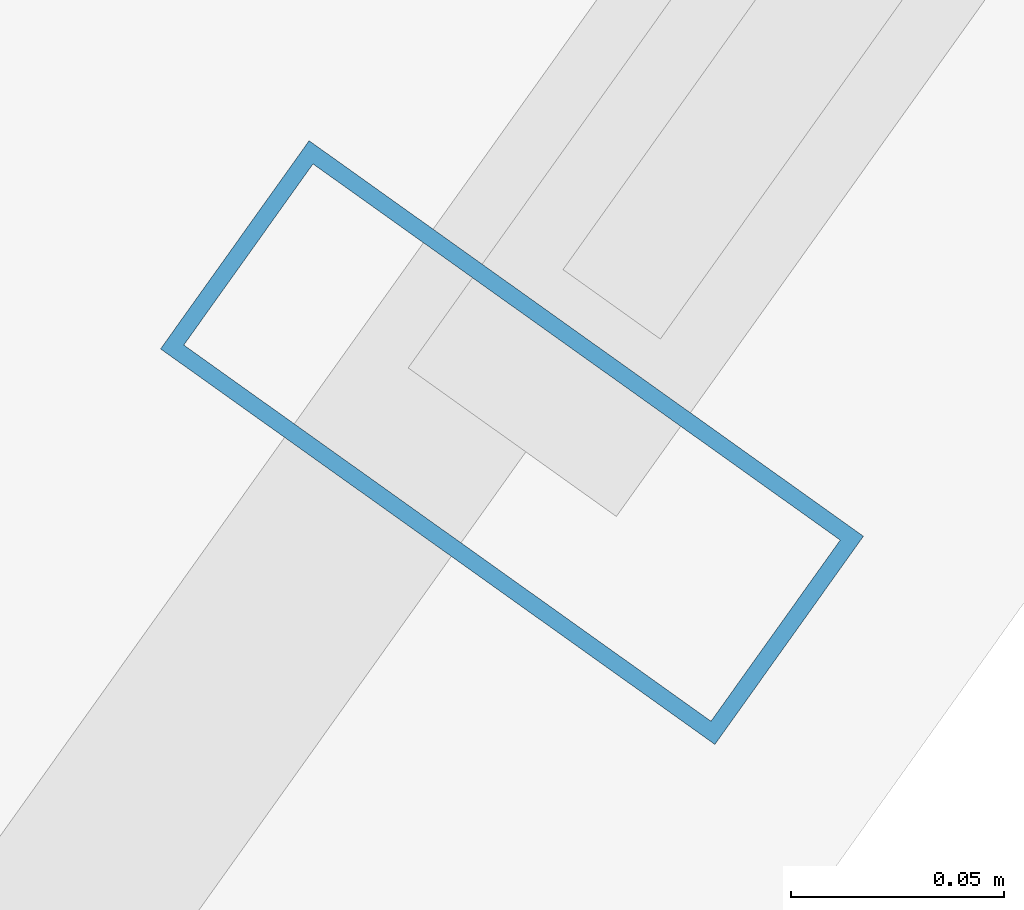
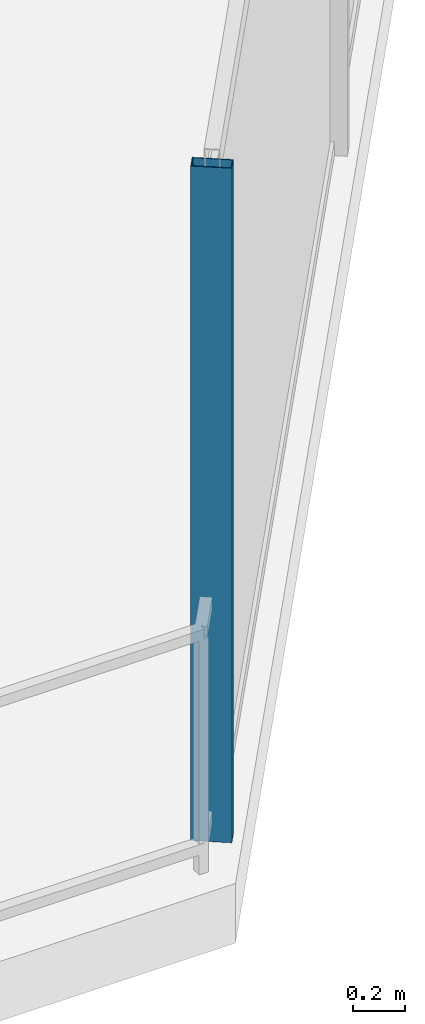
# One storey, part 5 of 30: 1 member, 1 element without a shape of its own.
"""IFC4 building model written with IfcOpenShell, lengths in metres."""

from ifc_helpers import new_model, si_unit, direction, frame, origin, origin_2d, place, context, subcontext, project, spatial, hollow_rectangle, extrude, material, layer, layer_set, material_profile, profile_set, type_object, element, aggregate, save


model = new_model("IFC4")

# Units and contexts
model_context = context("Model", 3, precision=1e-05, world=origin(), true_north=direction((0.0, 1.0)))
body_context = subcontext(model_context, "Body", "Model", "MODEL_VIEW")
ifc_project = project(units=[si_unit("LENGTHUNIT", "METRE"), si_unit("AREAUNIT", "SQUARE_METRE"), si_unit("VOLUMEUNIT", "CUBIC_METRE"), si_unit("PLANEANGLEUNIT", "RADIAN"), si_unit("MASSUNIT", "GRAM", prefix="KILO")], contexts=[model_context])

# Site, building, storey
site_placement = place(None, origin())
site = spatial("IfcSite", under=ifc_project, at=site_placement, CompositionType="ELEMENT")
building_placement = place(site_placement, origin())
building = spatial("IfcBuilding", under=site, at=building_placement, Name="Qarnah Convention Tower", CompositionType="ELEMENT")
storey_placement = place(building_placement, frame((0.0, 0.0, 47.699951171875)))
storey = spatial("IfcBuildingStorey", under=building, at=storey_placement, Name="L11", CompositionType="ELEMENT", Elevation=47.699951171875)

# Curtain wall, member
ifc_material_1 = material(Name="Tempered Low-E dark glass", Category="glass")
ifc_layer = layer(ifc_material_1, 0.16796875)
ifc_layer_set = layer_set([ifc_layer], Name="Tempered Low-E dark glass")
curtain_wall_type = type_object("IfcCurtainWallType", Name="CWS-01", PredefinedType="NOTDEFINED", material=ifc_layer_set)
curtain_wall_placement = place(storey_placement, origin())
curtain_wall = element("IfcCurtainWall", 1, at=curtain_wall_placement, inside=storey, type_object=curtain_wall_type, Name="L11 unitised curtain wall CW-L11-F4", PredefinedType="NOTDEFINED")
ifc_material_2 = material(Name="Black anodised aluminium", Category="aluminium")
ifc_material_profile = material_profile(ifc_material_2, hollow_rectangle(XDim=0.06005859375, YDim=0.159912109375, WallThickness=0.00390625, at=origin_2d()), Name="MUL-60X160")
ifc_profile_set = profile_set([ifc_material_profile], Name="Black anodised aluminium")
member_type = type_object("IfcMemberType", Name="MUL-T1", PredefinedType="MULLION", material=ifc_profile_set)
member_placement = place(storey_placement, frame((43.65087890625, 0.9140625, 0.0), z_axis=(0.0, 0.0, 1.0), x_axis=(-0.580808992524, -0.814039872613, 0.0)))
member = element("IfcMember", 2, at=member_placement, type_object=member_type, Name="CW-L11-F4 mullion 4", PredefinedType="MULLION", context=body_context, shape_type="SweptSolid", body=[
    extrude(hollow_rectangle(XDim=0.06005859375, YDim=0.159912109375, WallThickness=0.00390625, at=origin_2d()), origin(), (0.0, 0.0, 1.0), 3.170166015625),
])
aggregate(curtain_wall, [member])

save(model, "model.ifc")
